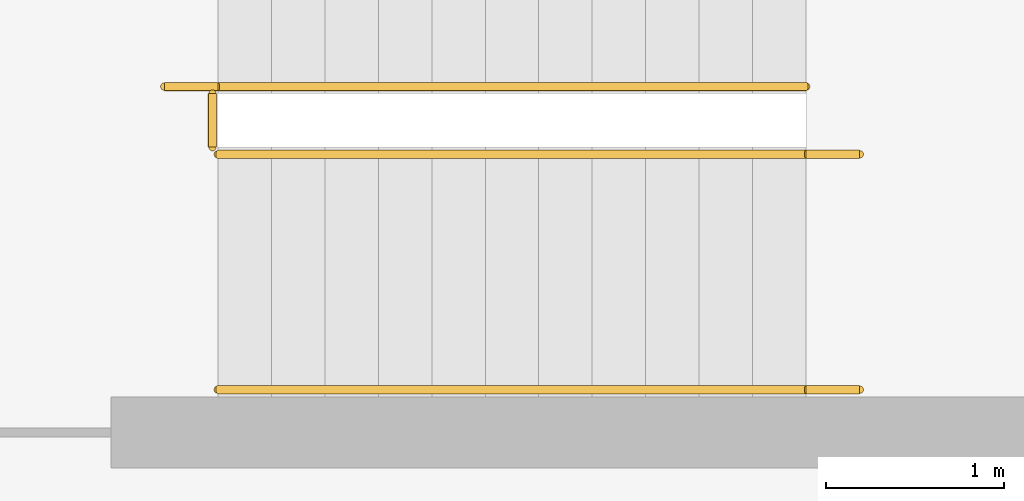
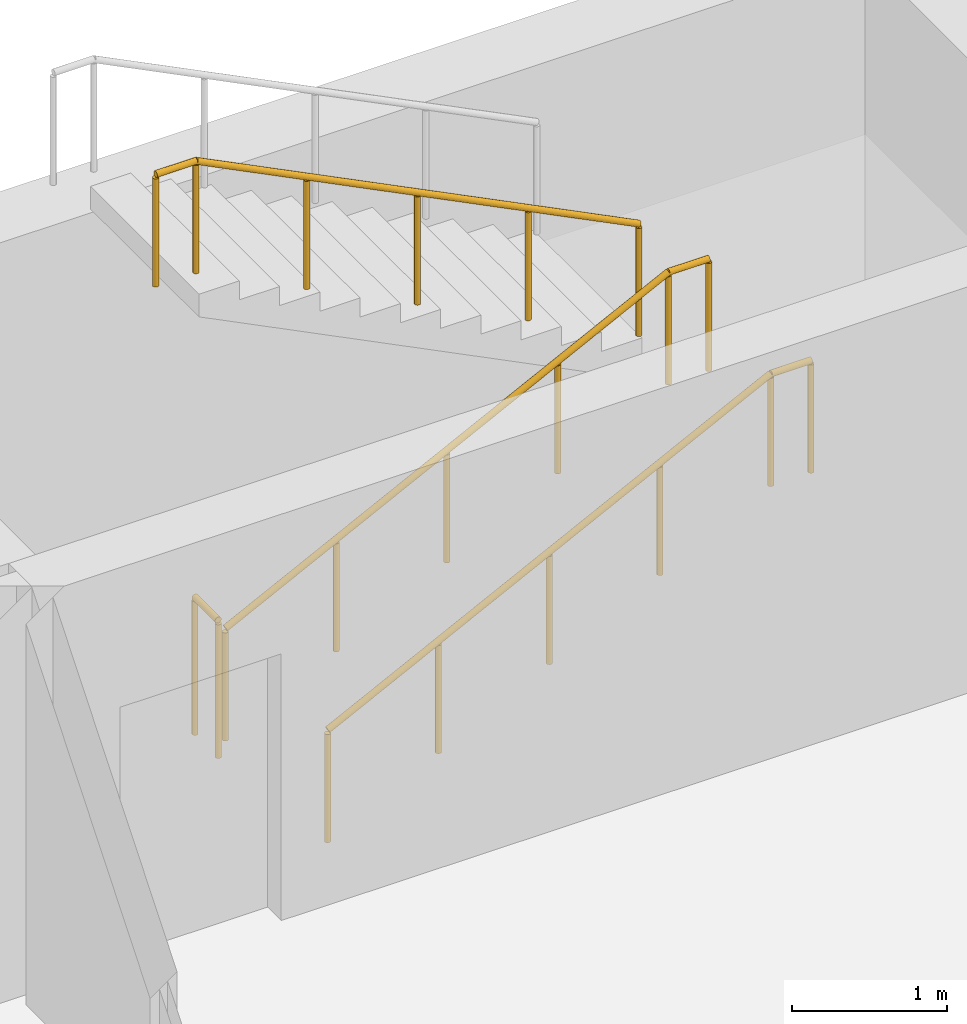
# One storey, part 10 of 12: 4 railings.
"""IFC4 building model written with IfcOpenShell, lengths in metres."""

from ifc_helpers import new_model, si_unit, direction, frame, origin, origin_2d, place, context, subcontext, project, spatial, circle, extrude, material, type_object, element, save


model = new_model("IFC4")

# Units and contexts
model_context = context("Model", 3, precision=1e-05, world=origin(), true_north=direction((0.0, 1.0)))
body_context = subcontext(model_context, "Body", "Model", "MODEL_VIEW")
ifc_project = project(units=[si_unit("LENGTHUNIT", "METRE"), si_unit("AREAUNIT", "SQUARE_METRE"), si_unit("VOLUMEUNIT", "CUBIC_METRE"), si_unit("PLANEANGLEUNIT", "RADIAN"), si_unit("MASSUNIT", "GRAM", prefix="KILO")], contexts=[model_context])

# Site, building, storey
site_placement = place(None, origin())
site = spatial("IfcSite", under=ifc_project, at=site_placement, CompositionType="ELEMENT")
building_placement = place(site_placement, origin())
building = spatial("IfcBuilding", under=site, at=building_placement, Name="Yavir Park General Hospital", CompositionType="ELEMENT")
storey_placement = place(building_placement, frame((0.0, 0.0, -11.39990234375)))
storey = spatial("IfcBuildingStorey", under=building, at=storey_placement, Name="B3", CompositionType="ELEMENT", Elevation=-11.39990234375)

# Railings
ifc_material_1 = material(Name="Steel balustrade with infill rods", Category="steel")
railing_type_1 = type_object("IfcRailingType", Name="Stair guard, steel balustrade 1100 mm", PredefinedType="GUARDRAIL", material=ifc_material_1)
railing_1_placement = place(storey_placement, frame((119.969970703125, 31.60009765625, 0.0)))
element("IfcRailing", 1, at=railing_1_placement, inside=storey, type_object=railing_type_1, Name="Stair well guard BS4 B3", PredefinedType="GUARDRAIL", context=body_context, shape_type="SweptSolid", body=[
    extrude(circle(Radius=0.02392578125, at=origin_2d()), frame((0.0, 0.0, 1.076171875), z_axis=(0.0, 1.0, 0.0), x_axis=(-1.0, 0.0, 0.0)), (0.0, 0.0, 1.0), 0.2998046875),
    extrude(circle(Radius=0.02099609375, at=origin_2d()), origin(), (0.0, 0.0, 1.0), 1.052001953125),
    extrude(circle(Radius=0.02099609375, at=origin_2d()), frame((0.0, 0.2998046875, 0.0)), (0.0, 0.0, 1.0), 1.052001953125),
])
ifc_material_2 = material(Name="Stainless steel tube 48 mm", Category="steel")
railing_type_2 = type_object("IfcRailingType", Name="Stair handrail, steel tube, 900 mm above the nosings", PredefinedType="HANDRAIL", material=ifc_material_2)
for number, where, name in (
    (2, (120.0, 30.239990234375, 0.14990234375), "Handrail BS4 B3 1"),
    (3, (120.0, 31.56005859375, 0.14990234375), "Handrail BS4 B3 2"),
):
    element("IfcRailing", number, at=place(storey_placement, frame(where)), inside=storey, type_object=railing_type_2, Name=name, PredefinedType="HANDRAIL", context=body_context, shape_type="SweptSolid", body=[
        extrude(circle(Radius=0.02392578125, at=origin_2d()), frame((0.0, 0.0, 0.8759765625), z_axis=(0.894440424912, 0.0, 0.447187126696), x_axis=(0.0, 1.0, 0.0)), (0.0, 0.0, 1.0), 3.689453125),
        extrude(circle(Radius=0.02392578125, at=origin_2d()), frame((3.300048828125, 0.0, 2.52587890625), z_axis=(1.0, 0.0, 0.0), x_axis=(0.0, 1.0, 0.0)), (0.0, 0.0, 1.0), 0.300048828125),
        extrude(circle(Radius=0.02099609375, at=origin_2d()), origin(), (0.0, 0.0, 1.0), 0.851806640625),
        extrude(circle(Radius=0.02099609375, at=origin_2d()), frame((0.824951171875, 0.0, 0.41259765625)), (0.0, 0.0, 1.0), 0.851806640625),
        extrude(circle(Radius=0.02099609375, at=origin_2d()), frame((1.64990234375, 0.0, 0.824951171875)), (0.0, 0.0, 1.0), 0.851806640625),
        extrude(circle(Radius=0.02099609375, at=origin_2d()), frame((2.47509765625, 0.0, 1.2373046875)), (0.0, 0.0, 1.0), 0.851806640625),
        extrude(circle(Radius=0.02099609375, at=origin_2d()), frame((3.300048828125, 0.0, 1.64990234375)), (0.0, 0.0, 1.0), 0.851806640625),
        extrude(circle(Radius=0.02099609375, at=origin_2d()), frame((3.60009765625, 0.0, 1.64990234375)), (0.0, 0.0, 1.0), 0.851806640625),
    ])
railing_2_placement = place(storey_placement, frame((123.300048828125, 31.93994140625, 1.949951171875)))
element("IfcRailing", 4, at=railing_2_placement, inside=storey, type_object=railing_type_2, Name="Handrail BS4 B3 4", PredefinedType="HANDRAIL", context=body_context, shape_type="SweptSolid", body=[
    extrude(circle(Radius=0.02392578125, at=origin_2d()), frame((0.0, 0.0, 0.8759765625), z_axis=(-0.894440424912, 0.0, 0.447187126696), x_axis=(0.0, -1.0, 0.0)), (0.0, 0.0, 1.0), 3.689453125),
    extrude(circle(Radius=0.02392578125, at=origin_2d()), frame((-3.300048828125, 0.0, 2.52587890625), z_axis=(-1.0, 0.0, 0.0), x_axis=(0.0, -1.0, 0.0)), (0.0, 0.0, 1.0), 0.300048828125),
    extrude(circle(Radius=0.02099609375, at=origin_2d()), origin(), (0.0, 0.0, 1.0), 0.851806640625),
    extrude(circle(Radius=0.02099609375, at=origin_2d()), frame((-0.824951171875, 0.0, 0.41259765625)), (0.0, 0.0, 1.0), 0.851806640625),
    extrude(circle(Radius=0.02099609375, at=origin_2d()), frame((-1.64990234375, 0.0, 0.824951171875)), (0.0, 0.0, 1.0), 0.851806640625),
    extrude(circle(Radius=0.02099609375, at=origin_2d()), frame((-2.47509765625, 0.0, 1.2373046875)), (0.0, 0.0, 1.0), 0.851806640625),
    extrude(circle(Radius=0.02099609375, at=origin_2d()), frame((-3.300048828125, 0.0, 1.64990234375)), (0.0, 0.0, 1.0), 0.851806640625),
    extrude(circle(Radius=0.02099609375, at=origin_2d()), frame((-3.60009765625, 0.0, 1.64990234375)), (0.0, 0.0, 1.0), 0.851806640625),
])

save(model, "model.ifc")
